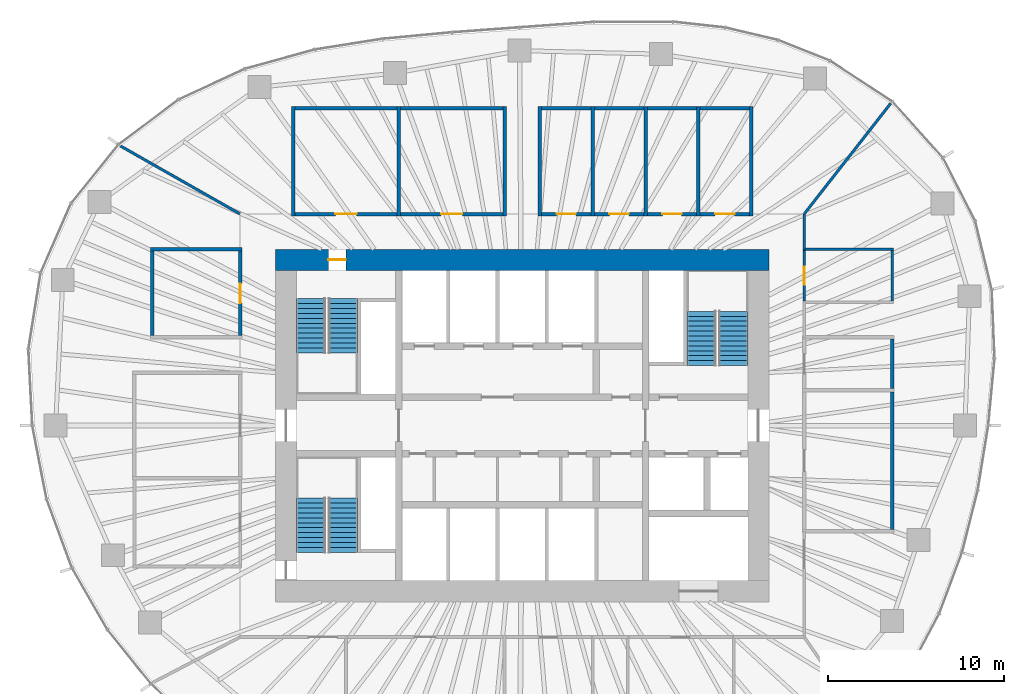
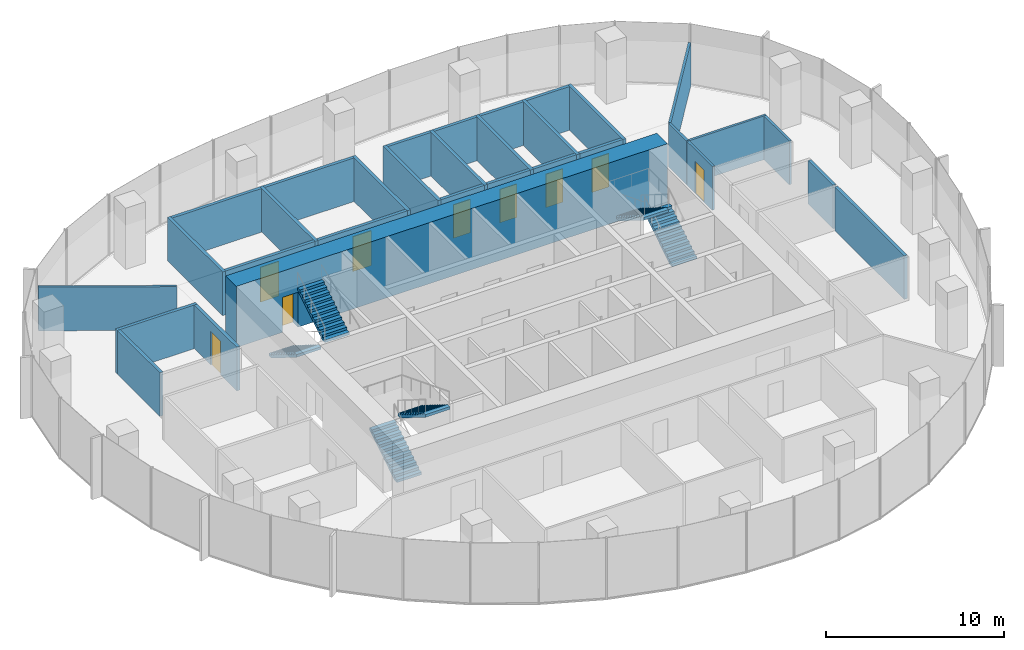
# One storey, part 10 of 11: 32 walls, 9 doors, 6 stair flights, 9 openings, 3 elements without a shape of their own.
"""IFC4 building model written with IfcOpenShell, lengths in metres."""

from ifc_helpers import new_model, si_unit, direction, frame, frame_2d, origin, place, context, subcontext, project, spatial, polyline, rectangle, outline, extrude, material, layer, layer_set, type_object, element, fill, aggregate, save


model = new_model("IFC4")

# Units and contexts
model_context = context("Model", 3, precision=1e-05, world=origin(), true_north=direction((0.0, 1.0)))
body_context = subcontext(model_context, "Body", "Model", "MODEL_VIEW")
ifc_project = project(units=[si_unit("LENGTHUNIT", "METRE"), si_unit("AREAUNIT", "SQUARE_METRE"), si_unit("VOLUMEUNIT", "CUBIC_METRE"), si_unit("PLANEANGLEUNIT", "RADIAN"), si_unit("MASSUNIT", "GRAM", prefix="KILO")], contexts=[model_context])

# Site, building, storey
site_placement = place(None, origin())
site = spatial("IfcSite", under=ifc_project, at=site_placement, CompositionType="ELEMENT")
building_placement = place(site_placement, origin())
building = spatial("IfcBuilding", under=site, at=building_placement, Name="Ghaith Harvest Tower", CompositionType="ELEMENT")
storey_placement = place(building_placement, frame((0.0, 0.0, 215.800048828125)))
storey = spatial("IfcBuildingStorey", under=building, at=storey_placement, Name="L47", CompositionType="ELEMENT", Elevation=215.800048828125)

# Walls
ifc_material_1 = material(Name="Twin-stud gypsum board, acoustic", Category="gypsum")
ifc_layer_1 = layer(ifc_material_1, 0.199951171875)
ifc_layer_set_1 = layer_set([ifc_layer_1], Name="ACOUSTIC PARTITION 200")
wall_type_1 = type_object("IfcWallType", Name="ACOUSTIC PARTITION 200", PredefinedType="PARTITIONING", material=ifc_layer_set_1)
for number, where, z_axis, x_axis, name in (
    (1, (-13.0, 11.89990234375, 0.0), (0.0, 0.0, 1.0), (0.0, 1.0, 0.0), "Partition L47 row N1 cross wall 1"),
    (2, (-7.0, 11.89990234375, 0.0), (0.0, 0.0, 1.0), (0.0, 1.0, 0.0), "Partition L47 row N1 cross wall 2"),
    (3, (-1.0, 11.89990234375, 0.0), (0.0, 0.0, 1.0), (0.0, 1.0, 0.0), "Partition L47 row N1 cross wall 3"),
):
    element("IfcWall", number, at=place(storey_placement, frame(where, z_axis=z_axis, x_axis=x_axis)), inside=storey, type_object=wall_type_1, Name=name, PredefinedType="PARTITIONING", context=body_context, shape_type="SweptSolid", body=[
        extrude(rectangle(XDim=6.2001953125, YDim=0.199951171875, at=frame_2d((3.10009765625, 0.0))), origin(), (0.0, 0.0, 1.0), 3.0),
    ])

# Wall, opening, door
wall_1_placement = place(storey_placement, frame((-12.89990234375, 12.0, 0.0), z_axis=(0.0, 0.0, 1.0), x_axis=(1.0, 0.0, 0.0)))
wall_1 = element("IfcWall", 4, at=wall_1_placement, inside=storey, type_object=wall_type_1, Name="Partition L47-01", PredefinedType="PARTITIONING", context=body_context, shape_type="SweptSolid", body=[
    extrude(rectangle(XDim=5.7998046875, YDim=0.199951171875, at=frame_2d((2.89990234375, 0.0))), origin(), (0.0, 0.0, 1.0), 3.0),
])
opening_1_placement = place(wall_1_placement, frame((2.300048828125, 0.0, 0.0)))
opening_1 = element("IfcOpeningElement", 5, at=opening_1_placement, cuts=wall_1, Name="Opening 47-022", PredefinedType="OPENING", context=body_context, shape_type="SweptSolid", body=[
    extrude(rectangle(XDim=1.199951171875, YDim=2.39990234375, at=frame_2d((0.60009765625, 1.199951171875))), frame((0.0, 0.10986328125, 0.0), z_axis=(0.0, -1.0, 0.0), x_axis=(1.0, 0.0, 0.0)), (0.0, 0.0, 1.0), 0.219970703125),
])
ifc_material_2 = material(Name="Timber door", Category="wood")
door_type_1 = type_object("IfcDoorType", Name="D11 GLAZED 1200x2400", OperationType="SINGLE_SWING_LEFT", PredefinedType="DOOR", material=ifc_material_2)
door_1_placement = place(opening_1_placement, origin())
door_1 = element("IfcDoor", 6, at=door_1_placement, inside=storey, type_object=door_type_1, Name="Meeting room door", OperationType="SINGLE_SWING_LEFT", OverallHeight=2.39990234375, OverallWidth=1.199951171875, PredefinedType="DOOR", context=body_context, shape_type="SweptSolid", body=[
    extrude(rectangle(XDim=1.199951171875, YDim=2.39990234375, at=frame_2d((0.60009765625, 1.199951171875))), frame((0.0, 0.02490234375, 0.0), z_axis=(0.0, -1.0, 0.0), x_axis=(1.0, 0.0, 0.0)), (0.0, 0.0, 1.0), 0.050048828125),
])
fill(opening_1, door_1)

# Wall
wall_2_placement = place(storey_placement, frame((-12.89990234375, 18.0, 0.0), z_axis=(0.0, 0.0, 1.0), x_axis=(1.0, 0.0, 0.0)))
element("IfcWall", 7, at=wall_2_placement, inside=storey, type_object=wall_type_1, Name="Partition L47-01", PredefinedType="PARTITIONING", context=body_context, shape_type="SweptSolid", body=[
    extrude(rectangle(XDim=5.7998046875, YDim=0.199951171875, at=frame_2d((2.89990234375, 0.0))), origin(), (0.0, 0.0, 1.0), 3.0),
])

# Wall, opening, door
wall_3_placement = place(storey_placement, frame((-6.89990234375, 12.0, 0.0), z_axis=(0.0, 0.0, 1.0), x_axis=(1.0, 0.0, 0.0)))
wall_3 = element("IfcWall", 8, at=wall_3_placement, inside=storey, type_object=wall_type_1, Name="Partition L47-02", PredefinedType="PARTITIONING", context=body_context, shape_type="SweptSolid", body=[
    extrude(rectangle(XDim=5.7998046875, YDim=0.199951171875, at=frame_2d((2.89990234375, 0.0))), origin(), (0.0, 0.0, 1.0), 3.0),
])
opening_2_placement = place(wall_3_placement, frame((2.300048828125, 0.0, 0.0)))
opening_2 = element("IfcOpeningElement", 9, at=opening_2_placement, cuts=wall_3, Name="Opening 47-023", PredefinedType="OPENING", context=body_context, shape_type="SweptSolid", body=[
    extrude(rectangle(XDim=1.199951171875, YDim=2.39990234375, at=frame_2d((0.60009765625, 1.199951171875))), frame((0.0, 0.10986328125, 0.0), z_axis=(0.0, -1.0, 0.0), x_axis=(1.0, 0.0, 0.0)), (0.0, 0.0, 1.0), 0.219970703125),
])
door_2_placement = place(opening_2_placement, origin())
door_2 = element("IfcDoor", 10, at=door_2_placement, inside=storey, type_object=door_type_1, Name="Meeting room door", OperationType="SINGLE_SWING_LEFT", OverallHeight=2.39990234375, OverallWidth=1.199951171875, PredefinedType="DOOR", context=body_context, shape_type="SweptSolid", body=[
    extrude(rectangle(XDim=1.199951171875, YDim=2.39990234375, at=frame_2d((0.60009765625, 1.199951171875))), frame((0.0, 0.02490234375, 0.0), z_axis=(0.0, -1.0, 0.0), x_axis=(1.0, 0.0, 0.0)), (0.0, 0.0, 1.0), 0.050048828125),
])
fill(opening_2, door_2)

# Walls
wall_4_placement = place(storey_placement, frame((-6.89990234375, 18.0, 0.0), z_axis=(0.0, 0.0, 1.0), x_axis=(1.0, 0.0, 0.0)))
element("IfcWall", 11, at=wall_4_placement, inside=storey, type_object=wall_type_1, Name="Partition L47-02", PredefinedType="PARTITIONING", context=body_context, shape_type="SweptSolid", body=[
    extrude(rectangle(XDim=5.7998046875, YDim=0.199951171875, at=frame_2d((2.89990234375, 0.0))), origin(), (0.0, 0.0, 1.0), 3.0),
])
for number, where, z_axis, x_axis, name in (
    (12, (1.0, 11.89990234375, 0.0), (0.0, 0.0, 1.0), (0.0, 1.0, 0.0), "Partition L47 row N2 cross wall 1"),
    (13, (4.0, 11.89990234375, 0.0), (0.0, 0.0, 1.0), (0.0, 1.0, 0.0), "Partition L47 row N2 cross wall 2"),
    (14, (7.0, 11.89990234375, 0.0), (0.0, 0.0, 1.0), (0.0, 1.0, 0.0), "Partition L47 row N2 cross wall 3"),
    (15, (10.0, 11.89990234375, 0.0), (0.0, 0.0, 1.0), (0.0, 1.0, 0.0), "Partition L47 row N2 cross wall 4"),
    (16, (13.0, 11.89990234375, 0.0), (0.0, 0.0, 1.0), (0.0, 1.0, 0.0), "Partition L47 row N2 cross wall 5"),
):
    element("IfcWall", number, at=place(storey_placement, frame(where, z_axis=z_axis, x_axis=x_axis)), inside=storey, type_object=wall_type_1, Name=name, PredefinedType="PARTITIONING", context=body_context, shape_type="SweptSolid", body=[
        extrude(rectangle(XDim=6.2001953125, YDim=0.199951171875, at=frame_2d((3.10009765625, 0.0))), origin(), (0.0, 0.0, 1.0), 3.0),
    ])

# Wall, opening, door
wall_5_placement = place(storey_placement, frame((1.10009765625, 12.0, 0.0), z_axis=(0.0, 0.0, 1.0), x_axis=(1.0, 0.0, 0.0)))
wall_5 = element("IfcWall", 17, at=wall_5_placement, inside=storey, type_object=wall_type_1, Name="Partition L47-03", PredefinedType="PARTITIONING", context=body_context, shape_type="SweptSolid", body=[
    extrude(rectangle(XDim=2.7998046875, YDim=0.199951171875, at=frame_2d((1.39990234375, 0.0))), origin(), (0.0, 0.0, 1.0), 3.0),
])
opening_3_placement = place(wall_5_placement, frame((0.85009765625, 0.0, 0.0)))
opening_3 = element("IfcOpeningElement", 18, at=opening_3_placement, cuts=wall_5, Name="Opening 47-024", PredefinedType="OPENING", context=body_context, shape_type="SweptSolid", body=[
    extrude(rectangle(XDim=1.10009765625, YDim=2.300048828125, at=frame_2d((0.550048828125, 1.14990234375))), frame((0.0, 0.10986328125, 0.0), z_axis=(0.0, -1.0, 0.0), x_axis=(1.0, 0.0, 0.0)), (0.0, 0.0, 1.0), 0.219970703125),
])
ifc_material_3 = material(Name="Timber-framed glazed door", Category="wood")
door_type_2 = type_object("IfcDoorType", Name="D12 GLAZED OFFICE 1100x2300", OperationType="SINGLE_SWING_LEFT", PredefinedType="DOOR", material=ifc_material_3)
door_3_placement = place(opening_3_placement, origin())
door_3 = element("IfcDoor", 19, at=door_3_placement, inside=storey, type_object=door_type_2, Name="Focus room door", OperationType="SINGLE_SWING_LEFT", OverallHeight=2.300048828125, OverallWidth=1.10009765625, PredefinedType="DOOR", context=body_context, shape_type="SweptSolid", body=[
    extrude(rectangle(XDim=1.10009765625, YDim=2.300048828125, at=frame_2d((0.550048828125, 1.14990234375))), frame((0.0, 0.02490234375, 0.0), z_axis=(0.0, -1.0, 0.0), x_axis=(1.0, 0.0, 0.0)), (0.0, 0.0, 1.0), 0.050048828125),
])
fill(opening_3, door_3)

# Wall
wall_6_placement = place(storey_placement, frame((1.10009765625, 18.0, 0.0), z_axis=(0.0, 0.0, 1.0), x_axis=(1.0, 0.0, 0.0)))
element("IfcWall", 20, at=wall_6_placement, inside=storey, type_object=wall_type_1, Name="Partition L47-03", PredefinedType="PARTITIONING", context=body_context, shape_type="SweptSolid", body=[
    extrude(rectangle(XDim=2.7998046875, YDim=0.199951171875, at=frame_2d((1.39990234375, 0.0))), origin(), (0.0, 0.0, 1.0), 3.0),
])

# Wall, opening, door
wall_7_placement = place(storey_placement, frame((4.10009765625, 12.0, 0.0), z_axis=(0.0, 0.0, 1.0), x_axis=(1.0, 0.0, 0.0)))
wall_7 = element("IfcWall", 21, at=wall_7_placement, inside=storey, type_object=wall_type_1, Name="Partition L47-04", PredefinedType="PARTITIONING", context=body_context, shape_type="SweptSolid", body=[
    extrude(rectangle(XDim=2.7998046875, YDim=0.199951171875, at=frame_2d((1.39990234375, 0.0))), origin(), (0.0, 0.0, 1.0), 3.0),
])
opening_4_placement = place(wall_7_placement, frame((0.85009765625, 0.0, 0.0)))
opening_4 = element("IfcOpeningElement", 22, at=opening_4_placement, cuts=wall_7, Name="Opening 47-025", PredefinedType="OPENING", context=body_context, shape_type="SweptSolid", body=[
    extrude(rectangle(XDim=1.10009765625, YDim=2.300048828125, at=frame_2d((0.550048828125, 1.14990234375))), frame((0.0, 0.10986328125, 0.0), z_axis=(0.0, -1.0, 0.0), x_axis=(1.0, 0.0, 0.0)), (0.0, 0.0, 1.0), 0.219970703125),
])
door_4_placement = place(opening_4_placement, origin())
door_4 = element("IfcDoor", 23, at=door_4_placement, inside=storey, type_object=door_type_2, Name="Focus room door", OperationType="SINGLE_SWING_LEFT", OverallHeight=2.300048828125, OverallWidth=1.10009765625, PredefinedType="DOOR", context=body_context, shape_type="SweptSolid", body=[
    extrude(rectangle(XDim=1.10009765625, YDim=2.300048828125, at=frame_2d((0.550048828125, 1.14990234375))), frame((0.0, 0.02490234375, 0.0), z_axis=(0.0, -1.0, 0.0), x_axis=(1.0, 0.0, 0.0)), (0.0, 0.0, 1.0), 0.050048828125),
])
fill(opening_4, door_4)

# Wall
wall_8_placement = place(storey_placement, frame((4.10009765625, 18.0, 0.0), z_axis=(0.0, 0.0, 1.0), x_axis=(1.0, 0.0, 0.0)))
element("IfcWall", 24, at=wall_8_placement, inside=storey, type_object=wall_type_1, Name="Partition L47-04", PredefinedType="PARTITIONING", context=body_context, shape_type="SweptSolid", body=[
    extrude(rectangle(XDim=2.7998046875, YDim=0.199951171875, at=frame_2d((1.39990234375, 0.0))), origin(), (0.0, 0.0, 1.0), 3.0),
])

# Wall, opening, door
wall_9_placement = place(storey_placement, frame((7.10009765625, 12.0, 0.0), z_axis=(0.0, 0.0, 1.0), x_axis=(1.0, 0.0, 0.0)))
wall_9 = element("IfcWall", 25, at=wall_9_placement, inside=storey, type_object=wall_type_1, Name="Partition L47-05", PredefinedType="PARTITIONING", context=body_context, shape_type="SweptSolid", body=[
    extrude(rectangle(XDim=2.7998046875, YDim=0.199951171875, at=frame_2d((1.39990234375, 0.0))), origin(), (0.0, 0.0, 1.0), 3.0),
])
opening_5_placement = place(wall_9_placement, frame((0.85009765625, 0.0, 0.0)))
opening_5 = element("IfcOpeningElement", 26, at=opening_5_placement, cuts=wall_9, Name="Opening 47-026", PredefinedType="OPENING", context=body_context, shape_type="SweptSolid", body=[
    extrude(rectangle(XDim=1.10009765625, YDim=2.300048828125, at=frame_2d((0.550048828125, 1.14990234375))), frame((0.0, 0.10986328125, 0.0), z_axis=(0.0, -1.0, 0.0), x_axis=(1.0, 0.0, 0.0)), (0.0, 0.0, 1.0), 0.219970703125),
])
door_5_placement = place(opening_5_placement, origin())
door_5 = element("IfcDoor", 27, at=door_5_placement, inside=storey, type_object=door_type_2, Name="Focus room door", OperationType="SINGLE_SWING_LEFT", OverallHeight=2.300048828125, OverallWidth=1.10009765625, PredefinedType="DOOR", context=body_context, shape_type="SweptSolid", body=[
    extrude(rectangle(XDim=1.10009765625, YDim=2.300048828125, at=frame_2d((0.550048828125, 1.14990234375))), frame((0.0, 0.02490234375, 0.0), z_axis=(0.0, -1.0, 0.0), x_axis=(1.0, 0.0, 0.0)), (0.0, 0.0, 1.0), 0.050048828125),
])
fill(opening_5, door_5)

# Wall
wall_10_placement = place(storey_placement, frame((7.10009765625, 18.0, 0.0), z_axis=(0.0, 0.0, 1.0), x_axis=(1.0, 0.0, 0.0)))
element("IfcWall", 28, at=wall_10_placement, inside=storey, type_object=wall_type_1, Name="Partition L47-05", PredefinedType="PARTITIONING", context=body_context, shape_type="SweptSolid", body=[
    extrude(rectangle(XDim=2.7998046875, YDim=0.199951171875, at=frame_2d((1.39990234375, 0.0))), origin(), (0.0, 0.0, 1.0), 3.0),
])

# Wall, opening, door
wall_11_placement = place(storey_placement, frame((10.10009765625, 12.0, 0.0), z_axis=(0.0, 0.0, 1.0), x_axis=(1.0, 0.0, 0.0)))
wall_11 = element("IfcWall", 29, at=wall_11_placement, inside=storey, type_object=wall_type_1, Name="Partition L47-06", PredefinedType="PARTITIONING", context=body_context, shape_type="SweptSolid", body=[
    extrude(rectangle(XDim=2.7998046875, YDim=0.199951171875, at=frame_2d((1.39990234375, 0.0))), origin(), (0.0, 0.0, 1.0), 3.0),
])
opening_6_placement = place(wall_11_placement, frame((0.85009765625, 0.0, 0.0)))
opening_6 = element("IfcOpeningElement", 30, at=opening_6_placement, cuts=wall_11, Name="Opening 47-027", PredefinedType="OPENING", context=body_context, shape_type="SweptSolid", body=[
    extrude(rectangle(XDim=1.10009765625, YDim=2.300048828125, at=frame_2d((0.550048828125, 1.14990234375))), frame((0.0, 0.10986328125, 0.0), z_axis=(0.0, -1.0, 0.0), x_axis=(1.0, 0.0, 0.0)), (0.0, 0.0, 1.0), 0.219970703125),
])
door_6_placement = place(opening_6_placement, origin())
door_6 = element("IfcDoor", 31, at=door_6_placement, inside=storey, type_object=door_type_2, Name="Focus room door", OperationType="SINGLE_SWING_LEFT", OverallHeight=2.300048828125, OverallWidth=1.10009765625, PredefinedType="DOOR", context=body_context, shape_type="SweptSolid", body=[
    extrude(rectangle(XDim=1.10009765625, YDim=2.300048828125, at=frame_2d((0.550048828125, 1.14990234375))), frame((0.0, 0.02490234375, 0.0), z_axis=(0.0, -1.0, 0.0), x_axis=(1.0, 0.0, 0.0)), (0.0, 0.0, 1.0), 0.050048828125),
])
fill(opening_6, door_6)

# Walls
wall_12_placement = place(storey_placement, frame((10.10009765625, 18.0, 0.0), z_axis=(0.0, 0.0, 1.0), x_axis=(1.0, 0.0, 0.0)))
element("IfcWall", 32, at=wall_12_placement, inside=storey, type_object=wall_type_1, Name="Partition L47-06", PredefinedType="PARTITIONING", context=body_context, shape_type="SweptSolid", body=[
    extrude(rectangle(XDim=2.7998046875, YDim=0.199951171875, at=frame_2d((1.39990234375, 0.0))), origin(), (0.0, 0.0, 1.0), 3.0),
])
wall_13_placement = place(storey_placement, frame((21.0, -5.89990234375, 0.0), z_axis=(0.0, 0.0, 1.0), x_axis=(0.0, 1.0, 0.0)))
element("IfcWall", 33, at=wall_13_placement, inside=storey, type_object=wall_type_1, Name="Partition L47-10", PredefinedType="PARTITIONING", context=body_context, shape_type="SweptSolid", body=[
    extrude(rectangle(XDim=7.7998046875, YDim=0.199951171875, at=frame_2d((3.89990234375, 0.0))), origin(), (0.0, 0.0, 1.0), 3.0),
])
wall_14_placement = place(storey_placement, frame((21.0, 2.10009765625, 0.0), z_axis=(0.0, 0.0, 1.0), x_axis=(0.0, 1.0, 0.0)))
element("IfcWall", 34, at=wall_14_placement, inside=storey, type_object=wall_type_1, Name="Partition L47-11", PredefinedType="PARTITIONING", context=body_context, shape_type="SweptSolid", body=[
    extrude(rectangle(XDim=2.7998046875, YDim=0.199951171875, at=frame_2d((1.39990234375, 0.0))), origin(), (0.0, 0.0, 1.0), 3.0),
])
wall_15_placement = place(storey_placement, frame((-15.89990234375, 10.0, 0.0), z_axis=(0.0, 0.0, 1.0), x_axis=(-1.0, 0.0, 0.0)))
element("IfcWall", 35, at=wall_15_placement, inside=storey, type_object=wall_type_1, Name="Partition L47 row W8 cross wall 2", PredefinedType="PARTITIONING", context=body_context, shape_type="SweptSolid", body=[
    extrude(rectangle(XDim=5.2001953125, YDim=0.199951171875, at=frame_2d((2.60009765625, 0.0))), origin(), (0.0, 0.0, 1.0), 3.0),
])

# Wall, opening, door
wall_16_placement = place(storey_placement, frame((-16.0, 5.10009765625, 0.0), z_axis=(0.0, 0.0, 1.0), x_axis=(0.0, 1.0, 0.0)))
wall_16 = element("IfcWall", 36, at=wall_16_placement, inside=storey, type_object=wall_type_1, Name="Partition L47-15", PredefinedType="PARTITIONING", context=body_context, shape_type="SweptSolid", body=[
    extrude(rectangle(XDim=4.7998046875, YDim=0.199951171875, at=frame_2d((2.39990234375, 0.0))), origin(), (0.0, 0.0, 1.0), 3.0),
])
opening_7_placement = place(wall_16_placement, frame((1.85009765625, 0.0, 0.0)))
opening_7 = element("IfcOpeningElement", 37, at=opening_7_placement, cuts=wall_16, Name="Opening 47-036", PredefinedType="OPENING", context=body_context, shape_type="SweptSolid", body=[
    extrude(rectangle(XDim=1.10009765625, YDim=2.300048828125, at=frame_2d((0.550048828125, 1.14990234375))), frame((0.0, 0.10986328125, 0.0), z_axis=(0.0, -1.0, 0.0), x_axis=(1.0, 0.0, 0.0)), (0.0, 0.0, 1.0), 0.219970703125),
])
door_7_placement = place(opening_7_placement, origin())
door_7 = element("IfcDoor", 38, at=door_7_placement, inside=storey, type_object=door_type_2, Name="Focus room door", OperationType="SINGLE_SWING_LEFT", OverallHeight=2.300048828125, OverallWidth=1.10009765625, PredefinedType="DOOR", context=body_context, shape_type="SweptSolid", body=[
    extrude(rectangle(XDim=1.10009765625, YDim=2.300048828125, at=frame_2d((0.550048828125, 1.14990234375))), frame((0.0, 0.02490234375, 0.0), z_axis=(0.0, -1.0, 0.0), x_axis=(1.0, 0.0, 0.0)), (0.0, 0.0, 1.0), 0.050048828125),
])
fill(opening_7, door_7)

# Wall
wall_17_placement = place(storey_placement, frame((-21.0, 5.10009765625, 0.0), z_axis=(0.0, 0.0, 1.0), x_axis=(0.0, 1.0, 0.0)))
element("IfcWall", 39, at=wall_17_placement, inside=storey, type_object=wall_type_1, Name="Partition L47-15", PredefinedType="PARTITIONING", context=body_context, shape_type="SweptSolid", body=[
    extrude(rectangle(XDim=4.7998046875, YDim=0.199951171875, at=frame_2d((2.39990234375, 0.0))), origin(), (0.0, 0.0, 1.0), 3.0),
])

# Wall, opening, door
ifc_material_4 = material(Name="Concrete C60/75", Category="concrete")
ifc_layer_2 = layer(ifc_material_4, 1.199951171875)
ifc_layer_set_2 = layer_set([ifc_layer_2], Name="CORE WALL CW1200 C60")
wall_type_2 = type_object("IfcWallType", Name="CORE WALL CW1200 C60", PredefinedType="SHEAR", material=ifc_layer_set_2)
wall_18_placement = place(storey_placement, frame((14.0, 9.39990234375, 0.0), z_axis=(0.0, 0.0, 1.0), x_axis=(-1.0, 0.0, 0.0)))
wall_18 = element("IfcWall", 40, at=wall_18_placement, inside=storey, type_object=wall_type_2, Name="Core wall N L47", PredefinedType="SHEAR", context=body_context, shape_type="SweptSolid", body=[
    extrude(rectangle(XDim=28.0, YDim=1.199951171875, at=frame_2d((14.0, 0.0))), origin(), (0.0, 0.0, 1.0), 4.199951171875),
])
opening_8_placement = place(wall_18_placement, frame((24.0, 0.0, 0.0)))
opening_8 = element("IfcOpeningElement", 41, at=opening_8_placement, cuts=wall_18, Name="Opening 47-005", PredefinedType="OPENING", context=body_context, shape_type="SweptSolid", body=[
    extrude(rectangle(XDim=1.0, YDim=2.39990234375, at=frame_2d((0.5, 1.199951171875))), frame((0.0, 0.60986328125, 0.0), z_axis=(0.0, -1.0, 0.0), x_axis=(1.0, 0.0, 0.0)), (0.0, 0.0, 1.0), 1.219970703125),
])
ifc_material_5 = material(Name="Steel fire door", Category="steel")
door_type_3 = type_object("IfcDoorType", Name="D3 FD90 1000x2400", OperationType="SINGLE_SWING_LEFT", PredefinedType="DOOR", material=ifc_material_5)
door_8_placement = place(opening_8_placement, origin())
door_8 = element("IfcDoor", 42, at=door_8_placement, inside=storey, type_object=door_type_3, Name="Stair ST1 door", OperationType="SINGLE_SWING_RIGHT", OverallHeight=2.39990234375, OverallWidth=1.0, PredefinedType="DOOR", context=body_context, shape_type="SweptSolid", body=[
    extrude(rectangle(XDim=1.0, YDim=2.39990234375, at=frame_2d((0.5, 1.199951171875))), frame((0.0, 0.02490234375, 0.0), z_axis=(0.0, -1.0, 0.0), x_axis=(1.0, 0.0, 0.0)), (0.0, 0.0, 1.0), 0.050048828125),
])
fill(opening_8, door_8)

# Wall
ifc_material_6 = material(Name="Gypsum board on steel studs", Category="steel")
ifc_layer_3 = layer(ifc_material_6, 0.14990234375)
ifc_layer_set_3 = layer_set([ifc_layer_3], Name="PARTITION 150")
wall_type_3 = type_object("IfcWallType", Name="PARTITION 150", PredefinedType="PARTITIONING", material=ifc_layer_set_3)
wall_19_placement = place(storey_placement, frame((15.925048828125, 10.0, 0.0), z_axis=(0.0, 0.0, 1.0), x_axis=(1.0, 0.0, 0.0)))
element("IfcWall", 43, at=wall_19_placement, inside=storey, type_object=wall_type_3, Name="Partition L47 row E7 cross wall 2", PredefinedType="PARTITIONING", context=body_context, shape_type="SweptSolid", body=[
    extrude(rectangle(XDim=5.14990234375, YDim=0.14990234375, at=frame_2d((2.574951171875, 0.0))), origin(), (0.0, 0.0, 1.0), 3.0),
])

# Wall, opening, door
wall_20_placement = place(storey_placement, frame((16.0, 7.074951171875, 0.0), z_axis=(0.0, 0.0, 1.0), x_axis=(0.0, 1.0, 0.0)))
wall_20 = element("IfcWall", 44, at=wall_20_placement, inside=storey, type_object=wall_type_3, Name="Partition L47-14", PredefinedType="PARTITIONING", context=body_context, shape_type="SweptSolid", body=[
    extrude(rectangle(XDim=2.85009765625, YDim=0.14990234375, at=frame_2d((1.425048828125, 0.0))), origin(), (0.0, 0.0, 1.0), 3.0),
])
opening_9_placement = place(wall_20_placement, frame((0.925048828125, 0.0, 0.0)))
opening_9 = element("IfcOpeningElement", 45, at=opening_9_placement, cuts=wall_20, Name="Opening 47-035", PredefinedType="OPENING", context=body_context, shape_type="SweptSolid", body=[
    extrude(rectangle(XDim=1.0, YDim=2.199951171875, at=frame_2d((0.5, 1.10009765625))), frame((0.0, 0.0849609375, 0.0), z_axis=(0.0, -1.0, 0.0), x_axis=(1.0, 0.0, 0.0)), (0.0, 0.0, 1.0), 0.169921875),
])
ifc_material_7 = material(Name="Timber door", Category="wood")
door_type_4 = type_object("IfcDoorType", Name="D1 SINGLE 1000x2200", OperationType="SINGLE_SWING_LEFT", PredefinedType="DOOR", material=ifc_material_7)
door_9_placement = place(opening_9_placement, origin())
door_9 = element("IfcDoor", 46, at=door_9_placement, inside=storey, type_object=door_type_4, Name="Store door", OperationType="SINGLE_SWING_LEFT", OverallHeight=2.199951171875, OverallWidth=1.0, PredefinedType="DOOR", context=body_context, shape_type="SweptSolid", body=[
    extrude(rectangle(XDim=1.0, YDim=2.199951171875, at=frame_2d((0.5, 1.10009765625))), frame((0.0, 0.02490234375, 0.0), z_axis=(0.0, -1.0, 0.0), x_axis=(1.0, 0.0, 0.0)), (0.0, 0.0, 1.0), 0.050048828125),
])
fill(opening_9, door_9)

# Walls
wall_21_placement = place(storey_placement, frame((21.0, 7.074951171875, 0.0), z_axis=(0.0, 0.0, 1.0), x_axis=(0.0, 1.0, 0.0)))
element("IfcWall", 47, at=wall_21_placement, inside=storey, type_object=wall_type_3, Name="Partition L47-14", PredefinedType="PARTITIONING", context=body_context, shape_type="SweptSolid", body=[
    extrude(rectangle(XDim=2.85009765625, YDim=0.14990234375, at=frame_2d((1.425048828125, 0.0))), origin(), (0.0, 0.0, 1.0), 3.0),
])
wall_22_placement = place(storey_placement, frame((-16.017333984375, 12.010009765625, 0.0), z_axis=(0.0, 0.0, 1.0), x_axis=(-0.869357432803, 0.494183826151, 0.0)))
element("IfcWall", 48, at=wall_22_placement, inside=storey, type_object=wall_type_3, Name="Partition L47 zone division", PredefinedType="PARTITIONING", context=body_context, shape_type="SweptSolid", body=[
    extrude(rectangle(XDim=7.791259765625, YDim=0.14990234375, at=frame_2d((3.8955078125, 0.0))), origin(), (0.0, 0.0, 1.0), 3.0),
])
wall_23_placement = place(storey_placement, frame((16.01220703125, 12.015625, 0.0), z_axis=(0.0, 0.0, 1.0), x_axis=(0.616030058222, 0.787722646219, 0.0)))
element("IfcWall", 49, at=wall_23_placement, inside=storey, type_object=wall_type_3, Name="Partition L47 zone division", PredefinedType="PARTITIONING", context=body_context, shape_type="SweptSolid", body=[
    extrude(rectangle(XDim=7.95166015625, YDim=0.14990234375, at=frame_2d((3.975830078125, 0.0))), origin(), (0.0, 0.0, 1.0), 3.0),
])
wall_24_placement = place(storey_placement, frame((16.0, 10.0, 0.0), z_axis=(0.0, 0.0, 1.0), x_axis=(0.0, 1.0, 0.0)))
element("IfcWall", 50, at=wall_24_placement, inside=storey, type_object=wall_type_3, Name="Partition L47 zone enclosure", PredefinedType="PARTITIONING", context=body_context, shape_type="SweptSolid", body=[
    extrude(rectangle(XDim=2.0, YDim=0.14990234375, at=frame_2d((1.0, 0.0))), origin(), (0.0, 0.0, 1.0), 3.0),
])

# Stair, stair flights
ifc_material_8 = material(Name="Concrete C40/50, precast", Category="concrete")
stair_type = type_object("IfcStairType", Name="CORE STAIR 24R", PredefinedType="HALF_TURN_STAIR", material=ifc_material_8)
stair_1_placement = place(storey_placement, origin())
stair_1 = element("IfcStair", 51, at=stair_1_placement, inside=storey, type_object=stair_type, Name="Stair ST1 L47", PredefinedType="HALF_TURN_STAIR")
ifc_material_9 = material(Name="Concrete C40/50, precast", Category="concrete")
stair_flight_type = type_object("IfcStairFlightType", Name="CORE FLIGHT 12R 1600", PredefinedType="STRAIGHT", material=ifc_material_9)
stair_flight_1_placement = place(storey_placement, frame((-12.0, 7.199951171875, 0.0), z_axis=(0.0, 0.0, 1.0), x_axis=(0.0, -1.0, 0.0)))
stair_flight_1 = element("IfcStairFlight", 52, at=stair_flight_1_placement, type_object=stair_flight_type, Name="ST1 flight 1", NumberOfRisers=12, NumberOfTreads=11, PredefinedType="STRAIGHT", RiserHeight=0.175, TreadLength=0.28, context=body_context, shape_type="SweptSolid", body=[
    extrude(outline(polyline([(0.0, 0.0), (0.0, 0.175048828125), (0.280029296875, 0.175048828125), (0.280029296875, 0.35009765625), (0.56005859375, 0.35009765625), (0.56005859375, 0.52490234375), (0.840087890625, 0.52490234375), (0.840087890625, 0.699951171875), (1.1201171875, 0.699951171875), (1.1201171875, 0.875), (1.39990234375, 0.875), (1.39990234375, 1.050048828125), (1.679931640625, 1.050048828125), (1.679931640625, 1.22509765625), (1.9599609375, 1.22509765625), (1.9599609375, 1.39990234375), (2.239990234375, 1.39990234375), (2.239990234375, 1.574951171875), (2.52001953125, 1.574951171875), (2.52001953125, 1.75), (2.800048828125, 1.75), (2.800048828125, 1.925048828125), (3.080078125, 1.925048828125), (3.080078125, 2.10009765625), (3.080078125, 1.748291015625), (0.28271484375, 0.0), (0.0, 0.0)])), frame((0.0, 0.800048828125, 0.0), z_axis=(0.0, -1.0, 0.0), x_axis=(1.0, 0.0, 0.0)), (0.0, 0.0, 1.0), 1.60009765625),
])
stair_flight_2_placement = place(storey_placement, frame((-10.14990234375, 4.1201171875, 2.099853515625), z_axis=(0.0, 0.0, 1.0), x_axis=(0.0, 1.0, 0.0)))
stair_flight_2 = element("IfcStairFlight", 53, at=stair_flight_2_placement, type_object=stair_flight_type, Name="ST1 flight 2", NumberOfRisers=12, NumberOfTreads=11, PredefinedType="STRAIGHT", RiserHeight=0.175, TreadLength=0.28, context=body_context, shape_type="SweptSolid", body=[
    extrude(outline(polyline([(0.0, 0.0), (0.0, 0.175048828125), (0.280029296875, 0.175048828125), (0.280029296875, 0.35009765625), (0.56005859375, 0.35009765625), (0.56005859375, 0.52490234375), (0.840087890625, 0.52490234375), (0.840087890625, 0.699951171875), (1.1201171875, 0.699951171875), (1.1201171875, 0.875), (1.39990234375, 0.875), (1.39990234375, 1.050048828125), (1.679931640625, 1.050048828125), (1.679931640625, 1.22509765625), (1.9599609375, 1.22509765625), (1.9599609375, 1.39990234375), (2.239990234375, 1.39990234375), (2.239990234375, 1.574951171875), (2.52001953125, 1.574951171875), (2.52001953125, 1.75), (2.800048828125, 1.75), (2.800048828125, 1.925048828125), (3.080078125, 1.925048828125), (3.080078125, 2.10009765625), (3.080078125, 1.748291015625), (0.28271484375, 0.0), (0.0, 0.0)])), frame((0.0, 0.800048828125, 0.0), z_axis=(0.0, -1.0, 0.0), x_axis=(1.0, 0.0, 0.0)), (0.0, 0.0, 1.0), 1.60009765625),
])
aggregate(stair_1, [stair_flight_1, stair_flight_2])

stair_2_placement = place(storey_placement, origin())
stair_2 = element("IfcStair", 54, at=stair_2_placement, inside=storey, type_object=stair_type, Name="Stair ST3 L47", PredefinedType="HALF_TURN_STAIR")
stair_flight_3_placement = place(storey_placement, frame((-12.0, -7.199951171875, 0.0), z_axis=(0.0, 0.0, 1.0), x_axis=(0.0, 1.0, 0.0)))
stair_flight_3 = element("IfcStairFlight", 55, at=stair_flight_3_placement, type_object=stair_flight_type, Name="ST3 flight 1", NumberOfRisers=12, NumberOfTreads=11, PredefinedType="STRAIGHT", RiserHeight=0.175, TreadLength=0.28, context=body_context, shape_type="SweptSolid", body=[
    extrude(outline(polyline([(0.0, 0.0), (0.0, 0.175048828125), (0.280029296875, 0.175048828125), (0.280029296875, 0.35009765625), (0.56005859375, 0.35009765625), (0.56005859375, 0.52490234375), (0.840087890625, 0.52490234375), (0.840087890625, 0.699951171875), (1.1201171875, 0.699951171875), (1.1201171875, 0.875), (1.39990234375, 0.875), (1.39990234375, 1.050048828125), (1.679931640625, 1.050048828125), (1.679931640625, 1.22509765625), (1.9599609375, 1.22509765625), (1.9599609375, 1.39990234375), (2.239990234375, 1.39990234375), (2.239990234375, 1.574951171875), (2.52001953125, 1.574951171875), (2.52001953125, 1.75), (2.800048828125, 1.75), (2.800048828125, 1.925048828125), (3.080078125, 1.925048828125), (3.080078125, 2.10009765625), (3.080078125, 1.748291015625), (0.28271484375, 0.0), (0.0, 0.0)])), frame((0.0, 0.800048828125, 0.0), z_axis=(0.0, -1.0, 0.0), x_axis=(1.0, 0.0, 0.0)), (0.0, 0.0, 1.0), 1.60009765625),
])
stair_flight_4_placement = place(storey_placement, frame((-10.14990234375, -4.1201171875, 2.099853515625), z_axis=(0.0, 0.0, 1.0), x_axis=(0.0, -1.0, 0.0)))
stair_flight_4 = element("IfcStairFlight", 56, at=stair_flight_4_placement, type_object=stair_flight_type, Name="ST3 flight 2", NumberOfRisers=12, NumberOfTreads=11, PredefinedType="STRAIGHT", RiserHeight=0.175, TreadLength=0.28, context=body_context, shape_type="SweptSolid", body=[
    extrude(outline(polyline([(0.0, 0.0), (0.0, 0.175048828125), (0.280029296875, 0.175048828125), (0.280029296875, 0.35009765625), (0.56005859375, 0.35009765625), (0.56005859375, 0.52490234375), (0.840087890625, 0.52490234375), (0.840087890625, 0.699951171875), (1.1201171875, 0.699951171875), (1.1201171875, 0.875), (1.39990234375, 0.875), (1.39990234375, 1.050048828125), (1.679931640625, 1.050048828125), (1.679931640625, 1.22509765625), (1.9599609375, 1.22509765625), (1.9599609375, 1.39990234375), (2.239990234375, 1.39990234375), (2.239990234375, 1.574951171875), (2.52001953125, 1.574951171875), (2.52001953125, 1.75), (2.800048828125, 1.75), (2.800048828125, 1.925048828125), (3.080078125, 1.925048828125), (3.080078125, 2.10009765625), (3.080078125, 1.748291015625), (0.28271484375, 0.0), (0.0, 0.0)])), frame((0.0, 0.800048828125, 0.0), z_axis=(0.0, -1.0, 0.0), x_axis=(1.0, 0.0, 0.0)), (0.0, 0.0, 1.0), 1.60009765625),
])
aggregate(stair_2, [stair_flight_3, stair_flight_4])

stair_3_placement = place(storey_placement, origin())
stair_3 = element("IfcStair", 57, at=stair_3_placement, inside=storey, type_object=stair_type, Name="Stair ST2 L47", PredefinedType="HALF_TURN_STAIR")
stair_flight_5_placement = place(storey_placement, frame((12.0, 3.39990234375, 0.0), z_axis=(0.0, 0.0, 1.0), x_axis=(0.0, 1.0, 0.0)))
stair_flight_5 = element("IfcStairFlight", 58, at=stair_flight_5_placement, type_object=stair_flight_type, Name="ST2 flight 1", NumberOfRisers=12, NumberOfTreads=11, PredefinedType="STRAIGHT", RiserHeight=0.175, TreadLength=0.28, context=body_context, shape_type="SweptSolid", body=[
    extrude(outline(polyline([(0.0, 0.0), (0.0, 0.175048828125), (0.280029296875, 0.175048828125), (0.280029296875, 0.35009765625), (0.56005859375, 0.35009765625), (0.56005859375, 0.52490234375), (0.840087890625, 0.52490234375), (0.840087890625, 0.699951171875), (1.1201171875, 0.699951171875), (1.1201171875, 0.875), (1.39990234375, 0.875), (1.39990234375, 1.050048828125), (1.679931640625, 1.050048828125), (1.679931640625, 1.22509765625), (1.9599609375, 1.22509765625), (1.9599609375, 1.39990234375), (2.239990234375, 1.39990234375), (2.239990234375, 1.574951171875), (2.52001953125, 1.574951171875), (2.52001953125, 1.75), (2.800048828125, 1.75), (2.800048828125, 1.925048828125), (3.080078125, 1.925048828125), (3.080078125, 2.10009765625), (3.080078125, 1.748291015625), (0.28271484375, 0.0), (0.0, 0.0)])), frame((0.0, 0.800048828125, 0.0), z_axis=(0.0, -1.0, 0.0), x_axis=(1.0, 0.0, 0.0)), (0.0, 0.0, 1.0), 1.60009765625),
])
stair_flight_6_placement = place(storey_placement, frame((10.14990234375, 6.47998046875, 2.099853515625), z_axis=(0.0, 0.0, 1.0), x_axis=(0.0, -1.0, 0.0)))
stair_flight_6 = element("IfcStairFlight", 59, at=stair_flight_6_placement, type_object=stair_flight_type, Name="ST2 flight 2", NumberOfRisers=12, NumberOfTreads=11, PredefinedType="STRAIGHT", RiserHeight=0.175, TreadLength=0.28, context=body_context, shape_type="SweptSolid", body=[
    extrude(outline(polyline([(0.0, 0.0), (0.0, 0.175048828125), (0.280029296875, 0.175048828125), (0.280029296875, 0.35009765625), (0.56005859375, 0.35009765625), (0.56005859375, 0.52490234375), (0.840087890625, 0.52490234375), (0.840087890625, 0.699951171875), (1.1201171875, 0.699951171875), (1.1201171875, 0.875), (1.39990234375, 0.875), (1.39990234375, 1.050048828125), (1.679931640625, 1.050048828125), (1.679931640625, 1.22509765625), (1.9599609375, 1.22509765625), (1.9599609375, 1.39990234375), (2.239990234375, 1.39990234375), (2.239990234375, 1.574951171875), (2.52001953125, 1.574951171875), (2.52001953125, 1.75), (2.800048828125, 1.75), (2.800048828125, 1.925048828125), (3.080078125, 1.925048828125), (3.080078125, 2.10009765625), (3.080078125, 1.748291015625), (0.28271484375, 0.0), (0.0, 0.0)])), frame((0.0, 0.800048828125, 0.0), z_axis=(0.0, -1.0, 0.0), x_axis=(1.0, 0.0, 0.0)), (0.0, 0.0, 1.0), 1.60009765625),
])
aggregate(stair_3, [stair_flight_5, stair_flight_6])

save(model, "model.ifc")
